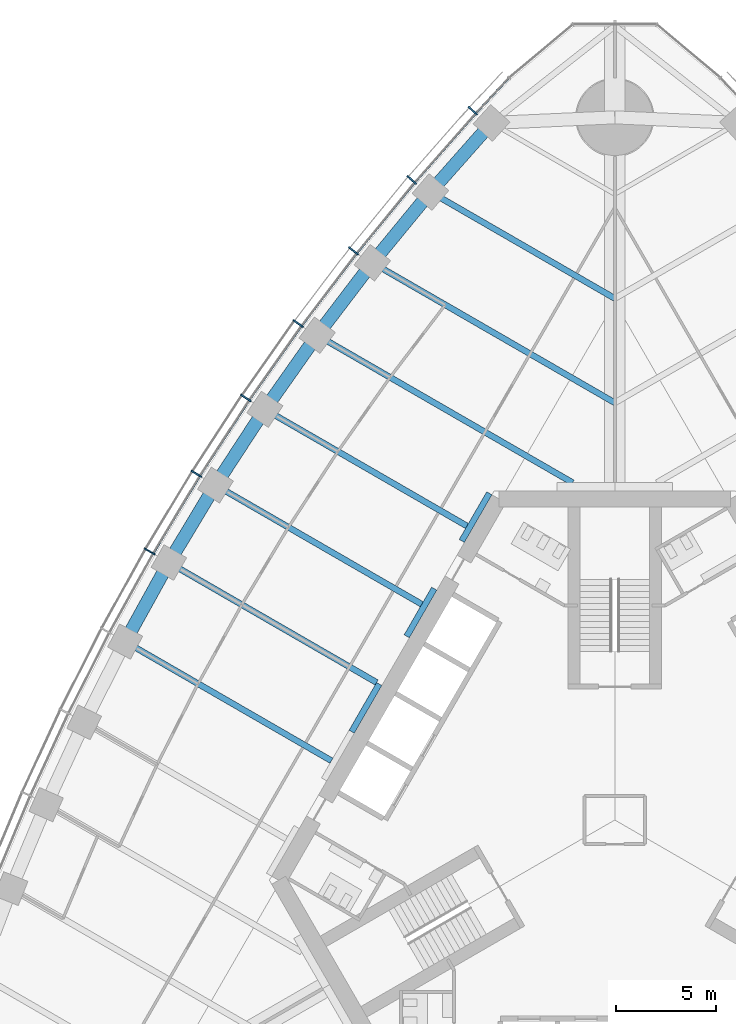
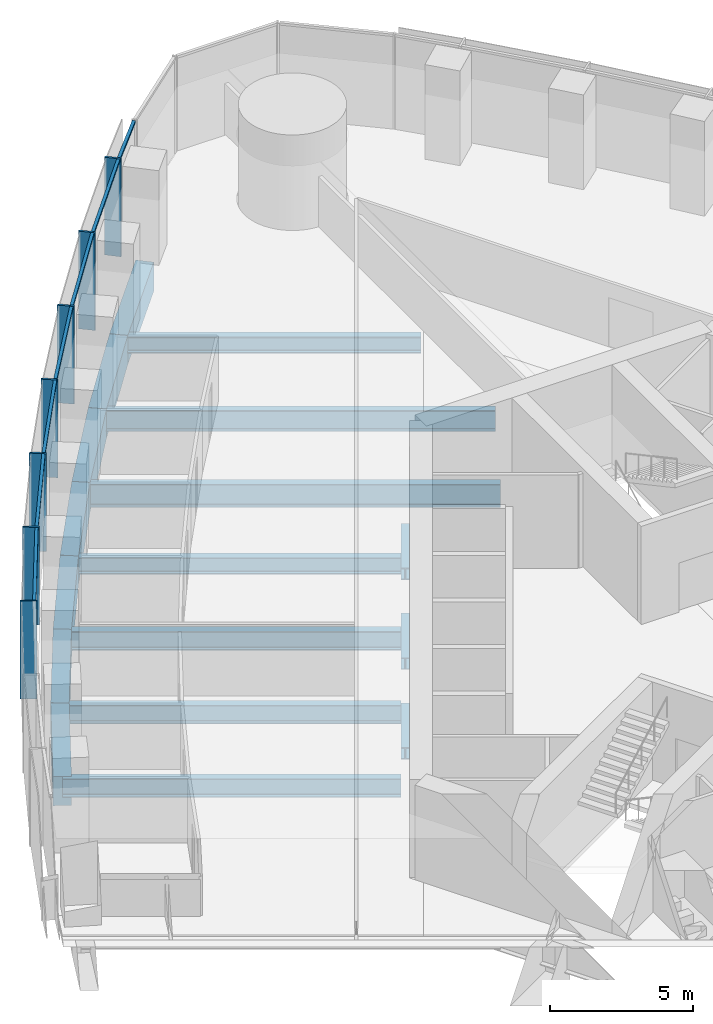
# One storey, part 4 of 19: 17 beams, 14 members, 1 element without a shape of its own.
"""IFC4 building model written with IfcOpenShell, lengths in metres."""

from ifc_helpers import new_model, si_unit, direction, frame, origin, origin_2d, place, context, subcontext, project, spatial, rectangle, i_section, extrude, material, material_profile, profile_set, type_object, element, aggregate, save


model = new_model("IFC4")

# Units and contexts
model_context = context("Model", 3, precision=1e-05, world=origin(), true_north=direction((0.0, 1.0)))
body_context = subcontext(model_context, "Body", "Model", "MODEL_VIEW")
ifc_project = project(units=[si_unit("LENGTHUNIT", "METRE"), si_unit("AREAUNIT", "SQUARE_METRE"), si_unit("VOLUMEUNIT", "CUBIC_METRE"), si_unit("PLANEANGLEUNIT", "RADIAN"), si_unit("MASSUNIT", "GRAM", prefix="KILO")], contexts=[model_context])

# Site, building, storey
site_placement = place(None, origin())
site = spatial("IfcSite", under=ifc_project, at=site_placement, CompositionType="ELEMENT")
building_placement = place(site_placement, origin())
building = spatial("IfcBuilding", under=site, at=building_placement, Name="Trefoil Bronze Tower", CompositionType="ELEMENT")
storey_placement = place(building_placement, frame((0.0, 0.0, 132.5)))
storey = spatial("IfcBuildingStorey", under=building, at=storey_placement, Name="L30", CompositionType="ELEMENT", Elevation=132.5)

# Curtain wall, members
ifc_material_1 = material(Name="Tinted solar-control glass", Category="glass")
curtain_wall_type = type_object("IfcCurtainWallType", Name="Bronze office curtain wall", PredefinedType="USERDEFINED", material=ifc_material_1)
curtain_wall_placement = place(storey_placement, origin())
curtain_wall = element("IfcCurtainWall", 1, at=curtain_wall_placement, inside=storey, type_object=curtain_wall_type, Name="CW-A L30 F3", ObjectType="CURTAIN WALL", PredefinedType="USERDEFINED")
ifc_material_2 = material(Name="Bronze-finish aluminium", Category="aluminium")
ifc_material_profile_1 = material_profile(ifc_material_2, rectangle(XDim=0.60009765625, YDim=0.080078125, at=origin_2d()), Name="CW-A mullion")
ifc_profile_set_1 = profile_set([ifc_material_profile_1], Name="Bronze-finish aluminium")
member_type_1 = type_object("IfcMemberType", Name="Bronze office curtain wall mullion", PredefinedType="MULLION", material=ifc_profile_set_1)
member_1_placement = place(storey_placement, frame((-7.070068359375, 35.332275390625, 0.0), z_axis=(0.0, 0.0, 1.0), x_axis=(0.740360700327, -0.672209813534, 0.0)))
member_1 = element("IfcMember", 2, at=member_1_placement, type_object=member_type_1, Name="CW-A L30 F3 mullion 2", PredefinedType="MULLION", context=body_context, shape_type="SweptSolid", body=[
    extrude(rectangle(XDim=0.60009765625, YDim=0.080078125, at=origin_2d()), origin(), (0.0, 0.0, 1.0), 4.179931640625),
])
member_2_placement = place(storey_placement, frame((-10.11474609375, 31.8828125, 0.0), z_axis=(0.0, 0.0, 1.0), x_axis=(0.761721651066, -0.647904411389, 0.0)))
member_2 = element("IfcMember", 3, at=member_2_placement, type_object=member_type_1, Name="CW-A L30 F3 mullion 3", PredefinedType="MULLION", context=body_context, shape_type="SweptSolid", body=[
    extrude(rectangle(XDim=0.60009765625, YDim=0.080078125, at=origin_2d()), origin(), (0.0, 0.0, 1.0), 4.179931640625),
])
member_3_placement = place(storey_placement, frame((-13.01220703125, 28.34716796875, 0.0), z_axis=(0.0, 0.0, 1.0), x_axis=(0.78487913905, -0.619648882098, 0.0)))
member_3 = element("IfcMember", 4, at=member_3_placement, type_object=member_type_1, Name="CW-A L30 F3 mullion 4", PredefinedType="MULLION", context=body_context, shape_type="SweptSolid", body=[
    extrude(rectangle(XDim=0.60009765625, YDim=0.080078125, at=origin_2d()), origin(), (0.0, 0.0, 1.0), 4.179931640625),
])
member_4_placement = place(storey_placement, frame((-15.764404296875, 24.7275390625, 0.0), z_axis=(0.0, 0.0, 1.0), x_axis=(0.806874522901, -0.590722865897, 0.0)))
member_4 = element("IfcMember", 5, at=member_4_placement, type_object=member_type_1, Name="CW-A L30 F3 mullion 5", PredefinedType="MULLION", context=body_context, shape_type="SweptSolid", body=[
    extrude(rectangle(XDim=0.60009765625, YDim=0.080078125, at=origin_2d()), origin(), (0.0, 0.0, 1.0), 4.179931640625),
])
member_5_placement = place(storey_placement, frame((-18.373046875, 21.025146484375, 0.0), z_axis=(0.0, 0.0, 1.0), x_axis=(0.827723925749, -0.561135547566, 0.0)))
member_5 = element("IfcMember", 6, at=member_5_placement, type_object=member_type_1, Name="CW-A L30 F3 mullion 6", PredefinedType="MULLION", context=body_context, shape_type="SweptSolid", body=[
    extrude(rectangle(XDim=0.60009765625, YDim=0.080078125, at=origin_2d()), origin(), (0.0, 0.0, 1.0), 4.179931640625),
])
member_6_placement = place(storey_placement, frame((-20.840087890625, 17.24072265625, 0.0), z_axis=(0.0, 0.0, 1.0), x_axis=(0.84743864936, -0.530893337283, 0.0)))
member_6 = element("IfcMember", 7, at=member_6_placement, type_object=member_type_1, Name="CW-A L30 F3 mullion 7", PredefinedType="MULLION", context=body_context, shape_type="SweptSolid", body=[
    extrude(rectangle(XDim=0.60009765625, YDim=0.080078125, at=origin_2d()), origin(), (0.0, 0.0, 1.0), 4.179931640625),
])
member_7_placement = place(storey_placement, frame((-23.166015625, 13.374755859375, 0.0), z_axis=(0.0, 0.0, 1.0), x_axis=(0.866025403784, -0.5, 0.0)))
member_7 = element("IfcMember", 8, at=member_7_placement, type_object=member_type_1, Name="CW-A L30 F3 mullion 8", PredefinedType="MULLION", context=body_context, shape_type="SweptSolid", body=[
    extrude(rectangle(XDim=0.60009765625, YDim=0.080078125, at=origin_2d()), origin(), (0.0, 0.0, 1.0), 4.179931640625),
])
ifc_material_3 = material(Name="Bronze-finish aluminium", Category="aluminium")
ifc_material_profile_2 = material_profile(ifc_material_3, rectangle(XDim=0.1201171875, YDim=0.10009765625, at=origin_2d()), Name="CW-A transom")
ifc_profile_set_2 = profile_set([ifc_material_profile_2], Name="Bronze-finish aluminium")
member_type_2 = type_object("IfcMemberType", Name="Bronze office curtain wall transom", PredefinedType="USERDEFINED", material=ifc_profile_set_2)
member_8_placement = place(storey_placement, frame((-5.296630859375, 36.9384765625, 4.1298828125), z_axis=(-0.682489214428, -0.730895664366, 0.0), x_axis=(0.730895664366, -0.682489214428, 0.0)))
member_8 = element("IfcMember", 9, at=member_8_placement, type_object=member_type_2, Name="CW-A L30 F3 transom 1", ObjectType="TRANSOM", PredefinedType="USERDEFINED", context=body_context, shape_type="SweptSolid", body=[
    extrude(rectangle(XDim=0.1201171875, YDim=0.10009765625, at=origin_2d()), origin(), (0.0, 0.0, 1.0), 2.340087890625),
])
member_9_placement = place(storey_placement, frame((-6.949462890625, 35.166748046875, 4.1298828125), z_axis=(-0.66173618877, -0.749736764786, 0.0), x_axis=(0.749736764786, -0.66173618877, 0.0)))
member_9 = element("IfcMember", 10, at=member_9_placement, type_object=member_type_2, Name="CW-A L30 F3 transom 2", ObjectType="TRANSOM", PredefinedType="USERDEFINED", context=body_context, shape_type="SweptSolid", body=[
    extrude(rectangle(XDim=0.1201171875, YDim=0.10009765625, at=origin_2d()), origin(), (0.0, 0.0, 1.0), 4.510986328125),
])
member_10_placement = place(storey_placement, frame((-9.98876953125, 31.720947265625, 4.1298828125), z_axis=(-0.633848872297, -0.773456919995, 0.0), x_axis=(0.773456919995, -0.633848872297, 0.0)))
member_10 = element("IfcMember", 11, at=member_10_placement, type_object=member_type_2, Name="CW-A L30 F3 transom 3", ObjectType="TRANSOM", PredefinedType="USERDEFINED", context=body_context, shape_type="SweptSolid", body=[
    extrude(rectangle(XDim=0.1201171875, YDim=0.10009765625, at=origin_2d()), origin(), (0.0, 0.0, 1.0), 4.480224609375),
])
member_11_placement = place(storey_placement, frame((-12.880615234375, 28.18994140625, 4.1298828125), z_axis=(-0.605229114572, -0.796051329296, 0.0), x_axis=(0.796051329296, -0.605229114572, 0.0)))
member_11 = element("IfcMember", 12, at=member_11_placement, type_object=member_type_2, Name="CW-A L30 F3 transom 4", ObjectType="TRANSOM", PredefinedType="USERDEFINED", context=body_context, shape_type="SweptSolid", body=[
    extrude(rectangle(XDim=0.1201171875, YDim=0.10009765625, at=origin_2d()), origin(), (0.0, 0.0, 1.0), 4.456298828125),
])
member_12_placement = place(storey_placement, frame((-15.626953125, 24.5751953125, 4.1298828125), z_axis=(-0.576017858824, -0.817437108478, 0.0), x_axis=(0.817437108478, -0.576017858824, 0.0)))
member_12 = element("IfcMember", 13, at=member_12_placement, type_object=member_type_2, Name="CW-A L30 F3 transom 5", ObjectType="TRANSOM", PredefinedType="USERDEFINED", context=body_context, shape_type="SweptSolid", body=[
    extrude(rectangle(XDim=0.1201171875, YDim=0.10009765625, at=origin_2d()), origin(), (0.0, 0.0, 1.0), 4.4384765625),
])
member_13_placement = place(storey_placement, frame((-18.23046875, 20.877685546875, 4.1298828125), z_axis=(-0.546079336226, -0.837733465099, 0.0), x_axis=(0.837733465099, -0.546079336226, 0.0)))
member_13 = element("IfcMember", 14, at=member_13_placement, type_object=member_type_2, Name="CW-A L30 F3 transom 6", ObjectType="TRANSOM", PredefinedType="USERDEFINED", context=body_context, shape_type="SweptSolid", body=[
    extrude(rectangle(XDim=0.1201171875, YDim=0.10009765625, at=origin_2d()), origin(), (0.0, 0.0, 1.0), 4.426513671875),
])
member_14_placement = place(storey_placement, frame((-20.692138671875, 17.0986328125, 4.1298828125), z_axis=(-0.515526794174, -0.856873458854, 0.0), x_axis=(0.856873458854, -0.515526794174, 0.0)))
member_14 = element("IfcMember", 15, at=member_14_placement, type_object=member_type_2, Name="CW-A L30 F3 transom 7", ObjectType="TRANSOM", PredefinedType="USERDEFINED", context=body_context, shape_type="SweptSolid", body=[
    extrude(rectangle(XDim=0.1201171875, YDim=0.10009765625, at=origin_2d()), origin(), (0.0, 0.0, 1.0), 4.4208984375),
])
aggregate(curtain_wall, [member_1, member_2, member_3, member_4, member_5, member_6, member_7, member_8, member_9, member_10, member_11, member_12, member_13, member_14])

# Beams
ifc_material_4 = material(Name="Steel C355", Category="steel")
ifc_material_profile_3 = material_profile(ifc_material_4, i_section(OverallWidth=0.300048828125, OverallDepth=0.5, WebThickness=0.014404296875, FlangeThickness=0.028076171875, FilletRadius=0.027099609375, at=origin_2d()), Name="HEB 500")
ifc_profile_set_3 = profile_set([ifc_material_profile_3], Name="Steel C355")
beam_type_1 = type_object("IfcBeamType", Name="Core seat beam HEB 500", PredefinedType="BEAM", material=ifc_profile_set_3)
for number, where, z_axis, x_axis, name in (
    (16, (-6.249755859375, 16.27490234375, -0.449951171875), (-0.500035825175, -0.866004719122, 0.0), (0.866004719122, -0.500035825175, 0.0), "Core seat beam F3/-2 L30"),
    (17, (-8.9921875, 11.52490234375, -0.449951171875), (-0.500035825175, -0.866004719122, 0.0), (0.866004719122, -0.500035825175, 0.0), "Core seat beam F3/-1 L30"),
    (18, (-11.734619140625, 6.77490234375, -0.449951171875), (-0.500035825175, -0.866004719122, 0.0), (0.866004719122, -0.500035825175, 0.0), "Core seat beam F3/+0 L30"),
):
    element("IfcBeam", number, at=place(storey_placement, frame(where, z_axis=z_axis, x_axis=x_axis)), inside=storey, type_object=beam_type_1, Name=name, PredefinedType="BEAM", context=body_context, shape_type="SweptSolid", body=[
        extrude(i_section(OverallWidth=0.300048828125, OverallDepth=0.5, WebThickness=0.014404296875, FlangeThickness=0.028076171875, FilletRadius=0.027099609375, at=origin_2d()), origin(), (0.0, 0.0, 1.0), 2.742431640625),
    ])
ifc_material_5 = material(Name="Steel C355", Category="steel")
ifc_material_profile_4 = material_profile(ifc_material_5, i_section(OverallWidth=0.300048828125, OverallDepth=1.0, WebThickness=0.01904296875, FlangeThickness=0.035888671875, FilletRadius=0.030029296875, at=origin_2d()), Name="HEB 1000")
ifc_profile_set_4 = profile_set([ifc_material_profile_4], Name="Steel C355")
beam_type_2 = type_object("IfcBeamType", Name="Floor beam HEB 1000", PredefinedType="BEAM", material=ifc_profile_set_4)
beam_1_placement = place(storey_placement, frame((-14.825439453125, 24.14794921875, -0.699951171875), z_axis=(0.866027342682, -0.499996641717, 0.0), x_axis=(0.499996641717, 0.866027342682, 0.0)))
element("IfcBeam", 19, at=beam_1_placement, inside=storey, type_object=beam_type_2, Name="Floor beam F3/-3 L30", PredefinedType="BEAM", context=body_context, shape_type="SweptSolid", body=[
    extrude(i_section(OverallWidth=0.300048828125, OverallDepth=1.0, WebThickness=0.01904296875, FlangeThickness=0.035888671875, FilletRadius=0.030029296875, at=origin_2d()), origin(), (0.0, 0.0, 1.0), 14.69580078125),
])
ifc_material_6 = material(Name="Steel C355", Category="steel")
ifc_material_profile_5 = material_profile(ifc_material_6, i_section(OverallWidth=0.300048828125, OverallDepth=0.699951171875, WebThickness=0.01708984375, FlangeThickness=0.031982421875, FilletRadius=0.027099609375, at=origin_2d()), Name="HEB 700")
ifc_profile_set_5 = profile_set([ifc_material_profile_5], Name="Steel C355")
beam_type_3 = type_object("IfcBeamType", Name="Floor beam HEB 700", PredefinedType="BEAM", material=ifc_profile_set_5)
beam_2_placement = place(storey_placement, frame((-9.181884765625, 31.281982421875, -0.550048828125), z_axis=(0.866021079084, -0.500007490527, 0.0), x_axis=(0.500007490527, 0.866021079084, 0.0)))
element("IfcBeam", 20, at=beam_2_placement, inside=storey, type_object=beam_type_3, Name="Floor beam F3/-5 L30", PredefinedType="BEAM", context=body_context, shape_type="SweptSolid", body=[
    extrude(i_section(OverallWidth=0.300048828125, OverallDepth=0.699951171875, WebThickness=0.01708984375, FlangeThickness=0.031982421875, FilletRadius=0.027099609375, at=origin_2d()), origin(), (0.0, 0.0, 1.0), 10.602294921875),
])
beam_3_placement = place(storey_placement, frame((-17.43017578125, 20.45556640625, -0.550048828125), z_axis=(0.866030626868, -0.499990953245, 0.0), x_axis=(0.499990953245, 0.866030626868, 0.0)))
element("IfcBeam", 21, at=beam_3_placement, inside=storey, type_object=beam_type_3, Name="Floor beam F3/-2 L30", PredefinedType="BEAM", context=body_context, shape_type="SweptSolid", body=[
    extrude(i_section(OverallWidth=0.300048828125, OverallDepth=0.699951171875, WebThickness=0.01708984375, FlangeThickness=0.031982421875, FilletRadius=0.027099609375, at=origin_2d()), origin(), (0.0, 0.0, 1.0), 11.622802734375),
])
ifc_material_7 = material(Name="Steel C355", Category="steel")
ifc_material_profile_6 = material_profile(ifc_material_7, i_section(OverallWidth=0.300048828125, OverallDepth=0.800048828125, WebThickness=0.017578125, FlangeThickness=0.032958984375, FilletRadius=0.030029296875, at=origin_2d()), Name="HEB 800")
ifc_profile_set_6 = profile_set([ifc_material_profile_6], Name="Steel C355")
beam_type_4 = type_object("IfcBeamType", Name="Floor beam HEB 800", PredefinedType="BEAM", material=ifc_profile_set_6)
beam_4_placement = place(storey_placement, frame((-19.892578125, 16.68115234375, -0.60009765625), z_axis=(0.866024236736, -0.500002021381, 0.0), x_axis=(0.500002021381, 0.866024236736, 0.0)))
element("IfcBeam", 22, at=beam_4_placement, inside=storey, type_object=beam_type_4, Name="Floor beam F3/-1 L30", PredefinedType="BEAM", context=body_context, shape_type="SweptSolid", body=[
    extrude(i_section(OverallWidth=0.300048828125, OverallDepth=0.800048828125, WebThickness=0.017578125, FlangeThickness=0.032958984375, FilletRadius=0.030029296875, at=origin_2d()), origin(), (0.0, 0.0, 1.0), 11.8681640625),
])
beam_5_placement = place(storey_placement, frame((-22.21337890625, 12.824951171875, -0.60009765625), z_axis=(0.866028062731, -0.499995394541, 0.0), x_axis=(0.499995394541, 0.866028062731, 0.0)))
element("IfcBeam", 23, at=beam_5_placement, inside=storey, type_object=beam_type_4, Name="Floor beam F3/+0 L30", PredefinedType="BEAM", context=body_context, shape_type="SweptSolid", body=[
    extrude(i_section(OverallWidth=0.300048828125, OverallDepth=0.800048828125, WebThickness=0.017578125, FlangeThickness=0.032958984375, FilletRadius=0.030029296875, at=origin_2d()), origin(), (0.0, 0.0, 1.0), 11.94970703125),
])
beam_6_placement = place(storey_placement, frame((-24.392578125, 8.886962890625, -0.60009765625), z_axis=(0.866024236736, -0.500002021381, 0.0), x_axis=(0.500002021381, 0.866024236736, 0.0)))
element("IfcBeam", 24, at=beam_6_placement, inside=storey, type_object=beam_type_4, Name="Floor beam F3/+1 L30", PredefinedType="BEAM", context=body_context, shape_type="SweptSolid", body=[
    extrude(i_section(OverallWidth=0.300048828125, OverallDepth=0.800048828125, WebThickness=0.017578125, FlangeThickness=0.032958984375, FilletRadius=0.030029296875, at=origin_2d()), origin(), (0.0, 0.0, 1.0), 11.8681640625),
])
ifc_material_8 = material(Name="Steel C355", Category="steel")
ifc_material_profile_7 = material_profile(ifc_material_8, i_section(OverallWidth=0.300048828125, OverallDepth=0.89990234375, WebThickness=0.0185546875, FlangeThickness=0.034912109375, FilletRadius=0.030029296875, at=origin_2d()), Name="HEB 900")
ifc_profile_set_7 = profile_set([ifc_material_profile_7], Name="Steel C355")
beam_type_5 = type_object("IfcBeamType", Name="Floor beam HEB 900", PredefinedType="BEAM", material=ifc_profile_set_7)
beam_7_placement = place(storey_placement, frame((-12.07666015625, 27.757080078125, -0.64990234375), z_axis=(0.866026983775, -0.499997263366, 0.0), x_axis=(0.499997263366, 0.866026983775, 0.0)))
element("IfcBeam", 25, at=beam_7_placement, inside=storey, type_object=beam_type_5, Name="Floor beam F3/-4 L30", PredefinedType="BEAM", context=body_context, shape_type="SweptSolid", body=[
    extrude(i_section(OverallWidth=0.300048828125, OverallDepth=0.89990234375, WebThickness=0.0185546875, FlangeThickness=0.034912109375, FilletRadius=0.030029296875, at=origin_2d()), origin(), (0.0, 0.0, 1.0), 13.94482421875),
])
ifc_material_9 = material(Name="Concrete B80", Category="concrete")
ifc_material_profile_8 = material_profile(ifc_material_9, rectangle(XDim=0.64990234375, YDim=1.25, at=origin_2d()), Name="RC 650x1250")
ifc_profile_set_8 = profile_set([ifc_material_profile_8], Name="Concrete B80")
beam_type_6 = type_object("IfcBeamType", Name="Spandrel beam RC 650x1250", PredefinedType="SPANDREL", material=ifc_profile_set_8)
beam_8_placement = place(storey_placement, frame((-6.13916015625, 34.72119140625, -0.824951171875), z_axis=(-0.662616326239, -0.748959013699, 0.0), x_axis=(0.748959013699, -0.662616326239, 0.0)))
element("IfcBeam", 26, at=beam_8_placement, inside=storey, type_object=beam_type_6, Name="Spandrel F3.2 L30", PredefinedType="SPANDREL", context=body_context, shape_type="SweptSolid", body=[
    extrude(rectangle(XDim=0.64990234375, YDim=1.25, at=origin_2d()), origin(), (0.0, 0.0, 1.0), 4.592041015625),
])
beam_9_placement = place(storey_placement, frame((-9.181884765625, 31.281982421875, -0.824951171875), z_axis=(-0.634650386838, -0.772799383079, 0.0), x_axis=(0.772799383079, -0.634650386838, 0.0)))
element("IfcBeam", 27, at=beam_9_placement, inside=storey, type_object=beam_type_6, Name="Spandrel F3.3 L30", PredefinedType="SPANDREL", context=body_context, shape_type="SweptSolid", body=[
    extrude(rectangle(XDim=0.64990234375, YDim=1.25, at=origin_2d()), origin(), (0.0, 0.0, 1.0), 4.561279296875),
])
beam_10_placement = place(storey_placement, frame((-12.07666015625, 27.757080078125, -0.824951171875), z_axis=(-0.605898901788, -0.795541652468, 0.0), x_axis=(0.795541652468, -0.605898901788, 0.0)))
element("IfcBeam", 28, at=beam_10_placement, inside=storey, type_object=beam_type_6, Name="Spandrel F3.4 L30", PredefinedType="SPANDREL", context=body_context, shape_type="SweptSolid", body=[
    extrude(rectangle(XDim=0.64990234375, YDim=1.25, at=origin_2d()), origin(), (0.0, 0.0, 1.0), 4.53662109375),
])
beam_11_placement = place(storey_placement, frame((-14.825439453125, 24.14794921875, -0.824951171875), z_axis=(-0.576439228712, -0.81714002203, 0.0), x_axis=(0.81714002203, -0.576439228712, 0.0)))
element("IfcBeam", 29, at=beam_11_placement, inside=storey, type_object=beam_type_6, Name="Spandrel F3.5 L30", PredefinedType="SPANDREL", context=body_context, shape_type="SweptSolid", body=[
    extrude(rectangle(XDim=0.64990234375, YDim=1.25, at=origin_2d()), origin(), (0.0, 0.0, 1.0), 4.5185546875),
])
beam_12_placement = place(storey_placement, frame((-17.43017578125, 20.45556640625, -0.824951171875), z_axis=(-0.546396670296, -0.83752652417, 0.0), x_axis=(0.83752652417, -0.546396670296, 0.0)))
element("IfcBeam", 30, at=beam_12_placement, inside=storey, type_object=beam_type_6, Name="Spandrel F3.6 L30", PredefinedType="SPANDREL", context=body_context, shape_type="SweptSolid", body=[
    extrude(rectangle(XDim=0.64990234375, YDim=1.25, at=origin_2d()), origin(), (0.0, 0.0, 1.0), 4.506591796875),
])
for number, where, z_axis, x_axis, name in (
    (31, (-19.892578125, 16.68115234375, -0.824951171875), (-0.515651979972, -0.856798129988, 0.0), (0.856798129988, -0.515651979972, 0.0), "Spandrel F3.7 L30"),
    (32, (-22.21337890625, 12.824951171875, -0.824951171875), (-0.484186866546, -0.874964615436, 0.0), (0.874964615436, -0.484186866546, 0.0), "Spandrel F3.8 L30"),
):
    element("IfcBeam", number, at=place(storey_placement, frame(where, z_axis=z_axis, x_axis=x_axis)), inside=storey, type_object=beam_type_6, Name=name, PredefinedType="SPANDREL", context=body_context, shape_type="SweptSolid", body=[
        extrude(rectangle(XDim=0.64990234375, YDim=1.25, at=origin_2d()), origin(), (0.0, 0.0, 1.0), 4.500732421875),
    ])

save(model, "model.ifc")
